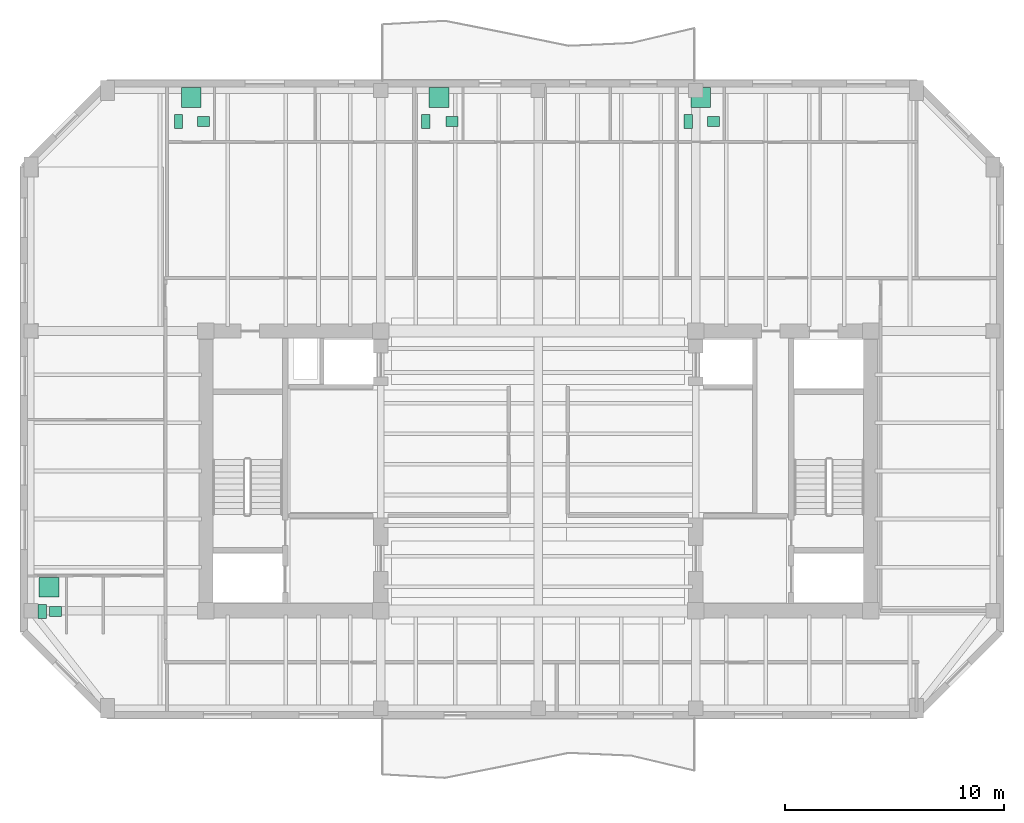
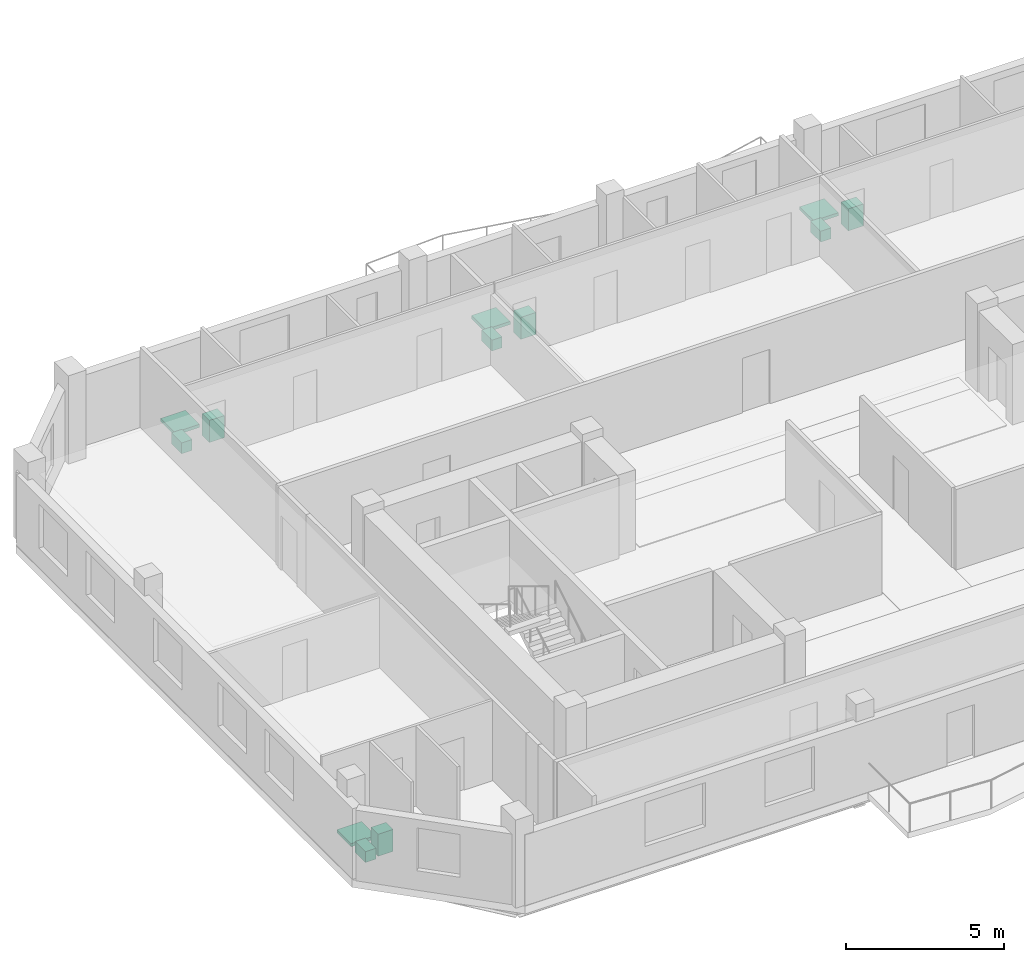
# One storey, part 10 of 10: 12 sanitary terminals.
"""IFC4 building model written with IfcOpenShell, lengths in metres."""

from ifc_helpers import new_model, si_unit, direction, frame, origin, origin_2d, place, context, subcontext, project, spatial, rectangle, extrude, material, type_object, element, save


model = new_model("IFC4")

# Units and contexts
model_context = context("Model", 3, precision=1e-05, world=origin(), true_north=direction((0.0, 1.0)))
body_context = subcontext(model_context, "Body", "Model", "MODEL_VIEW")
ifc_project = project(units=[si_unit("LENGTHUNIT", "METRE"), si_unit("AREAUNIT", "SQUARE_METRE"), si_unit("VOLUMEUNIT", "CUBIC_METRE"), si_unit("PLANEANGLEUNIT", "RADIAN"), si_unit("MASSUNIT", "GRAM", prefix="KILO")], contexts=[model_context])

# Site, building, storey
site_placement = place(None, origin())
site = spatial("IfcSite", under=ifc_project, at=site_placement, CompositionType="ELEMENT")
building_placement = place(site_placement, origin())
building = spatial("IfcBuilding", under=site, at=building_placement, Name="Kranthara Brick Stack", CompositionType="ELEMENT")
storey_placement = place(building_placement, frame((0.0, 0.0, 272.10009765625)))
storey = spatial("IfcBuildingStorey", under=building, at=storey_placement, Name="L72", CompositionType="ELEMENT", Elevation=272.10009765625)

# Sanitary terminals
ifc_material_1 = material(Name="Vitreous china sanitary porcelain", Category="other")
sanitary_terminal_type_1 = type_object("IfcSanitaryTerminalType", Name="SAN-BASIN", PredefinedType="WASHHANDBASIN", material=ifc_material_1)
for number, where, z_axis, x_axis, name in (
    (1, (12.699951171875, 43.175048828125, -0.000244140625), (0.0, 0.0, 1.0), (1.0, 0.0, 0.0), "L72 Washbasin 373"),
    (2, (24.06201171875, 43.175048828125, -0.000244140625), (0.0, 0.0, 1.0), (1.0, 0.0, 0.0), "L72 Washbasin 374"),
    (3, (36.010009765625, 43.175048828125, -0.000244140625), (0.0, 0.0, 1.0), (1.0, 0.0, 0.0), "L72 Washbasin 375"),
    (4, (5.925048828125, 20.77490234375, -0.000244140625), (0.0, 0.0, 1.0), (1.0, 0.0, 0.0), "L72 Washbasin 376"),
):
    element("IfcSanitaryTerminal", number, at=place(storey_placement, frame(where, z_axis=z_axis, x_axis=x_axis)), inside=storey, type_object=sanitary_terminal_type_1, Name=name, PredefinedType="WASHHANDBASIN", context=body_context, shape_type="SweptSolid", body=[
        extrude(rectangle(XDim=0.550048828125, YDim=0.449951171875, at=origin_2d()), origin(), (0.0, 0.0, 1.0), 0.85009765625),
    ])
ifc_material_2 = material(Name="Acrylic and porcelain shower tray", Category="other")
sanitary_terminal_type_2 = type_object("IfcSanitaryTerminalType", Name="SAN-SHOWER", PredefinedType="SHOWER", material=ifc_material_2)
for number, where, z_axis, x_axis, name in (
    (5, (12.125, 44.280029296875, -0.000244140625), (0.0, 0.0, 1.0), (1.0, 0.0, 0.0), "L72 Shower Tray 373"),
    (6, (23.4619140625, 44.280029296875, -0.000244140625), (0.0, 0.0, 1.0), (1.0, 0.0, 0.0), "L72 Shower Tray 374"),
    (7, (35.43505859375, 44.280029296875, -0.000244140625), (0.0, 0.0, 1.0), (1.0, 0.0, 0.0), "L72 Shower Tray 375"),
    (8, (5.623046875, 21.8798828125, -0.000244140625), (0.0, 0.0, 1.0), (1.0, 0.0, 0.0), "L72 Shower Tray 376"),
):
    element("IfcSanitaryTerminal", number, at=place(storey_placement, frame(where, z_axis=z_axis, x_axis=x_axis)), inside=storey, type_object=sanitary_terminal_type_2, Name=name, PredefinedType="SHOWER", context=body_context, shape_type="SweptSolid", body=[
        extrude(rectangle(XDim=0.89990234375, YDim=0.89990234375, at=origin_2d()), origin(), (0.0, 0.0, 1.0), 0.1201171875),
    ])
ifc_material_3 = material(Name="Vitreous china sanitary porcelain", Category="other")
sanitary_terminal_type_3 = type_object("IfcSanitaryTerminalType", Name="SAN-WC-PAN", PredefinedType="TOILETPAN", material=ifc_material_3)
for number, where, z_axis, x_axis, name in (
    (9, (11.550048828125, 43.175048828125, 0.0), (0.0, 0.0, 1.0), (1.0, 0.0, 0.0), "L72 WC Pan 373"),
    (10, (22.862060546875, 43.175048828125, 0.0), (0.0, 0.0, 1.0), (1.0, 0.0, 0.0), "L72 WC Pan 374"),
    (11, (34.860107421875, 43.175048828125, 0.0), (0.0, 0.0, 1.0), (1.0, 0.0, 0.0), "L72 WC Pan 375"),
    (12, (5.320068359375, 20.77490234375, 0.0), (0.0, 0.0, 1.0), (1.0, 0.0, 0.0), "L72 WC Pan 376"),
):
    element("IfcSanitaryTerminal", number, at=place(storey_placement, frame(where, z_axis=z_axis, x_axis=x_axis)), inside=storey, type_object=sanitary_terminal_type_3, Name=name, PredefinedType="TOILETPAN", context=body_context, shape_type="SweptSolid", body=[
        extrude(rectangle(XDim=0.3798828125, YDim=0.64990234375, at=origin_2d()), origin(), (0.0, 0.0, 1.0), 0.419921875),
    ])

save(model, "model.ifc")
